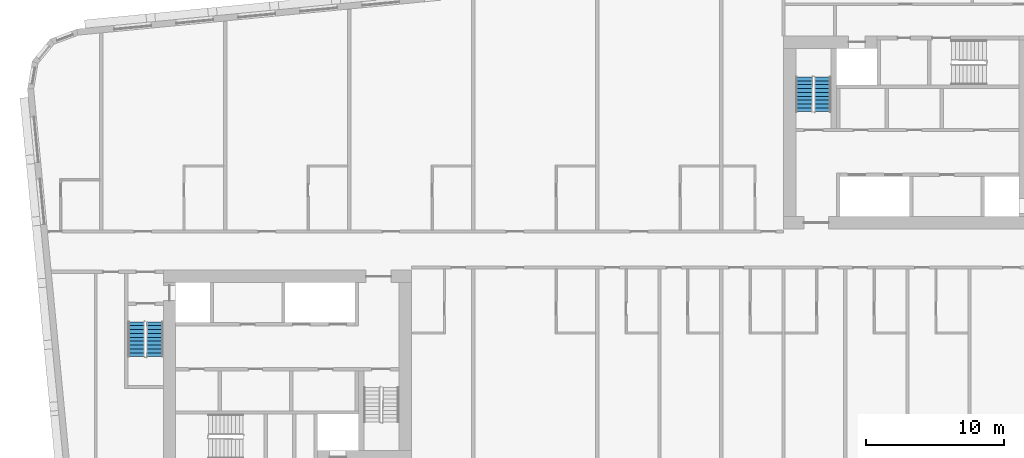
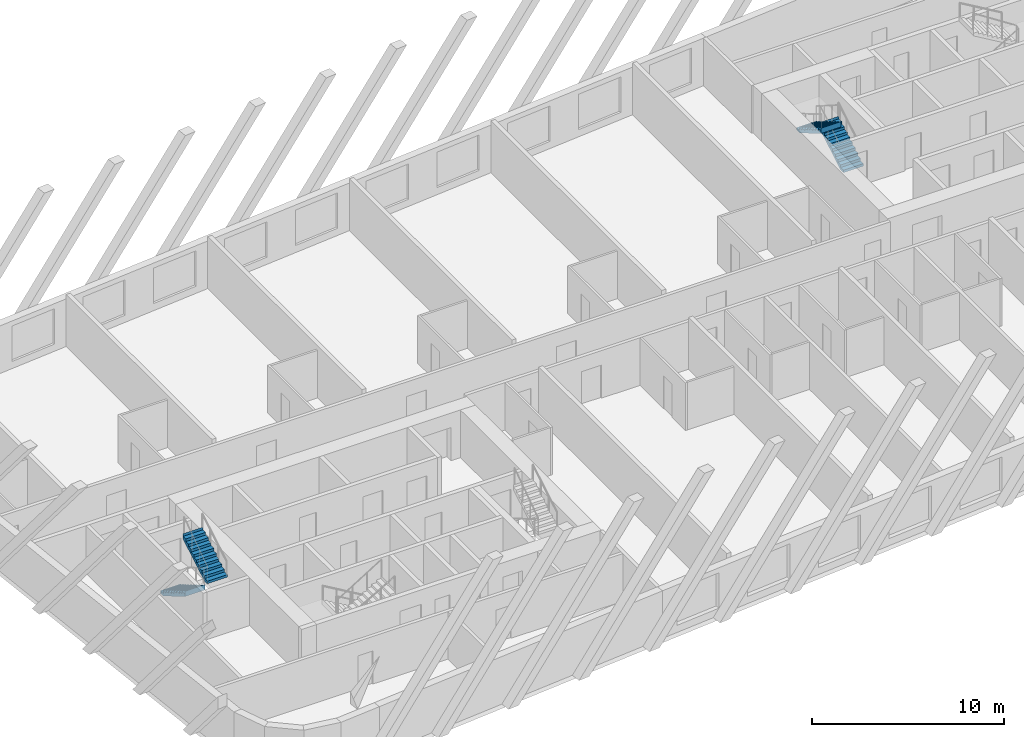
# One storey, part 9 of 12: 4 stair flights, 2 elements without a shape of their own.
"""IFC4 building model written with IfcOpenShell, lengths in metres."""

import ifcopenshell
import ifcopenshell.guid

model = None  # the IFC model being written
_history = None  # IfcOwnerHistory: only IFC2X3 demands one
_inside = {}  # id of a spatial element -> (the spatial element, [elements in it])
_under = {}  # id of a project, library or spatial element -> (it, [spatial elements below it])
_declared = {}  # id of a project -> (the project, [libraries it declares])
_typed = {}  # id of a type object -> (the type object, [elements of that type])
_made_of = {}  # id of a material, layer set ... -> (it, [elements and type objects made of it])


def new_model(schema):
    """Start an empty IFC model of exactly this schema.

    Asked for "IFC4X3", IfcOpenShell would pick the latest addendum, in which some entities
    have other attributes; the version numbers below select the first issue.
    IFC2X3 requires an IfcOwnerHistory on every rooted entity: one is made here for all.
    """
    global model, _history
    if schema == "IFC4X3":
        model = ifcopenshell.file(schema_version=(4, 3, 0, 0))
    else:
        model = ifcopenshell.file(schema=schema)
    _inside.clear()
    _under.clear()
    _declared.clear()
    _typed.clear()
    _made_of.clear()
    _history = None
    if model.schema == "IFC2X3":
        org = make("IfcOrganization", Name="unknown")
        user = make(
            "IfcPersonAndOrganization",
            ThePerson=make("IfcPerson", FamilyName="unknown"),
            TheOrganization=org,
        )
        app = make(
            "IfcApplication",
            ApplicationDeveloper=org,
            Version="unknown",
            ApplicationFullName="unknown",
            ApplicationIdentifier="unknown",
        )
        _history = make(
            "IfcOwnerHistory",
            OwningUser=user,
            OwningApplication=app,
            ChangeAction="ADDED",
            CreationDate=0,
        )
    return model


def make(cls, **values):
    """One entity of the class cls with the attributes given. An attribute that is None is left unset."""
    return model.create_entity(
        cls, **{name: value for name, value in values.items() if value is not None}
    )


def rooted(cls, **values):
    """An entity with a GlobalId (a new one), such as an element, a storey or a relation."""
    return make(cls, GlobalId=ifcopenshell.guid.new(), OwnerHistory=_history, **values)


def si_unit(unit_type, name, prefix=None):
    """IfcSIUnit, for example si_unit("LENGTHUNIT", "METRE", prefix="MILLI")."""
    return make("IfcSIUnit", UnitType=unit_type, Prefix=prefix, Name=name)


def assignment(units):
    """IfcUnitAssignment: the units of a project."""
    return None if units is None else make("IfcUnitAssignment", Units=units)


def point(xyz):
    """IfcCartesianPoint."""
    return None if xyz is None else make("IfcCartesianPoint", Coordinates=xyz)


def direction(xyz):
    """IfcDirection."""
    return None if xyz is None else make("IfcDirection", DirectionRatios=xyz)


def frame(location, z_axis=None, x_axis=None):
    """IfcAxis2Placement3D, a coordinate frame: its origin and axes. An axis left out is left unset."""
    return make(
        "IfcAxis2Placement3D",
        Location=point(location),
        Axis=direction(z_axis),
        RefDirection=direction(x_axis),
    )


def origin():
    """The frame at (0, 0, 0) with its axes left unset."""
    return frame((0.0, 0.0, 0.0))


def place(relative_to, where):
    """IfcLocalPlacement: puts the frame where relative to a parent placement (None: the world)."""
    return make(
        "IfcLocalPlacement", PlacementRelTo=relative_to, RelativePlacement=where
    )


def context(
    kind, dimensions, precision=None, world=None, true_north=None, identifier=None
):
    """IfcGeometricRepresentationContext, for example the 3D "Model" context."""
    return make(
        "IfcGeometricRepresentationContext",
        ContextIdentifier=identifier,
        ContextType=kind,
        CoordinateSpaceDimension=dimensions,
        Precision=precision,
        WorldCoordinateSystem=world,
        TrueNorth=true_north,
    )


def subcontext(parent, identifier, kind, view, scale=None):
    """IfcGeometricRepresentationSubContext, for example "Body" below "Model"."""
    return make(
        "IfcGeometricRepresentationSubContext",
        ContextIdentifier=identifier,
        ContextType=kind,
        ParentContext=parent,
        TargetScale=scale,
        TargetView=view,
    )


def project(units=None, contexts=None):
    """IfcProject with its units and contexts."""
    return rooted(
        "IfcProject",
        Name="project",
        RepresentationContexts=contexts,
        UnitsInContext=assignment(units),
    )


def spatial(cls, under=None, at=None, **own):
    """A site, building, storey or space (cls), placed at a placement, below another one or the project."""
    s = rooted(cls, ObjectPlacement=at, **own)
    if under is not None:
        _under.setdefault(under.id(), (under, []))[1].append(s)
    return s


def faces_of(points, faces, orient=None, outer=None):
    """IfcFace entities. A face is a list of loops; a loop is a list of indices into points, from 0.

    orient and outer hold one flag for each loop. By default every Orientation is true, the
    first loop of a face is its IfcFaceOuterBound and the others are IfcFaceBound.
    """
    made = []
    for i, loops in enumerate(faces):
        bounds = []
        for j, loop in enumerate(loops):
            is_outer = j == 0 if outer is None else outer[i][j]
            bounds.append(
                make(
                    "IfcFaceOuterBound" if is_outer else "IfcFaceBound",
                    Bound=make("IfcPolyLoop", Polygon=[points[k] for k in loop]),
                    Orientation=True if orient is None else orient[i][j],
                )
            )
        made.append(make("IfcFace", Bounds=bounds))
    return made


def faceted_brep(points, faces, orient=None, outer=None, voids=None):
    """IfcFacetedBrep: a solid bounded by flat faces; with voids (closed shells), ...WithVoids."""
    shared = [point(p) for p in points]
    hull = make("IfcClosedShell", CfsFaces=faces_of(shared, faces, orient, outer))
    if voids is None:
        return make("IfcFacetedBrep", Outer=hull)
    return make(
        "IfcFacetedBrepWithVoids",
        Outer=hull,
        Voids=[
            make(cls, CfsFaces=faces_of(shared, fs, o, b)) for cls, fs, o, b in voids
        ],
    )


def shape(context_of_items, identifier, shape_type, items):
    """IfcShapeRepresentation: the items that make up one representation, for example the "Body"."""
    return make(
        "IfcShapeRepresentation",
        ContextOfItems=context_of_items,
        RepresentationIdentifier=identifier,
        RepresentationType=shape_type,
        Items=items,
    )


def material(Name=None, Category=None):
    """IfcMaterial."""
    return make("IfcMaterial", Name=Name, Category=Category)


def made_of(thing, what):
    """Note that an element or type object is made of a material, layer set ...; save() writes the relation."""
    if what is not None:
        _made_of.setdefault(what.id(), (what, []))[1].append(thing)
    return thing


def type_object(cls, material=None, **own):
    """A type object (cls), such as IfcWallType, which elements share."""
    return made_of(rooted(cls, **own), material)


def element(
    cls,
    number,
    at=None,
    inside=None,
    cuts=None,
    type_object=None,
    material=None,
    context=None,
    identifier="Body",
    shape_type=None,
    held_by="IfcProductDefinitionShape",
    body=None,
    shapes=None,
    **own,
):
    """One element of the class cls, such as IfcWall. Its Tag is "e" and its number.

    at: its placement. inside: the storey or other place that contains it. cuts: it is an
    opening in that element (IfcRelVoidsElement). A single representation is given by context,
    identifier, shape_type and body (its items); several are given by shapes. held_by: the class
    of the entity that holds the representations. save() writes the other relations.
    """
    e = rooted(cls, Tag="e%d" % number, ObjectPlacement=at, **own)
    if body is not None:
        shapes = [shape(context, identifier, shape_type, body)]
    if shapes is not None:
        e.Representation = make(held_by, Representations=shapes)
    if inside is not None:
        _inside.setdefault(inside.id(), (inside, []))[1].append(e)
    if cuts is not None:
        rooted(
            "IfcRelVoidsElement", RelatingBuildingElement=cuts, RelatedOpeningElement=e
        )
    if type_object is not None:
        _typed.setdefault(type_object.id(), (type_object, []))[1].append(e)
    return made_of(e, material)


def aggregate(whole, parts):
    """IfcRelAggregates: a whole, such as a stair, and the parts it consists of."""
    return rooted("IfcRelAggregates", RelatingObject=whole, RelatedObjects=parts)


def save(model, path):
    """Write the relations noted so far, then the file.

    IfcRelAggregates (storeys below a building ...), IfcRelContainedInSpatialStructure (elements
    in a storey), IfcRelDefinesByType, IfcRelAssociatesMaterial and IfcRelDeclares: one each for
    every whole, place, type object, material and project.
    """
    for whole, parts in _under.values():
        aggregate(whole, parts)
    for where, things in _inside.values():
        rooted(
            "IfcRelContainedInSpatialStructure",
            RelatedElements=things,
            RelatingStructure=where,
        )
    for kind, things in _typed.values():
        rooted("IfcRelDefinesByType", RelatedObjects=things, RelatingType=kind)
    for what, things in _made_of.values():
        rooted("IfcRelAssociatesMaterial", RelatedObjects=things, RelatingMaterial=what)
    for by, libraries in _declared.values():
        rooted("IfcRelDeclares", RelatingContext=by, RelatedDefinitions=libraries)
    model.write(path)


model = new_model("IFC4")

# Units and contexts
model_context = context("Model", 3, precision=1e-05, world=origin(), true_north=direction((0.0, 1.0)))
body_context = subcontext(model_context, "Body", "Model", "MODEL_VIEW")
ifc_project = project(units=[si_unit("LENGTHUNIT", "METRE"), si_unit("AREAUNIT", "SQUARE_METRE"), si_unit("VOLUMEUNIT", "CUBIC_METRE"), si_unit("PLANEANGLEUNIT", "RADIAN"), si_unit("MASSUNIT", "GRAM", prefix="KILO")], contexts=[model_context])

# Site, building, storey
site_placement = place(None, origin())
site = spatial("IfcSite", under=ifc_project, at=site_placement, CompositionType="ELEMENT")
building_placement = place(site_placement, origin())
building = spatial("IfcBuilding", under=site, at=building_placement, Name="Kajstack Hotel Tower", CompositionType="ELEMENT")
storey_placement = place(building_placement, frame((0.0, 0.0, 278.39990234375)))
storey = spatial("IfcBuildingStorey", under=building, at=storey_placement, Name="L69", CompositionType="ELEMENT", Elevation=278.39990234375)

# Stair, stair flights
ifc_material = material(Name="Concrete C40/50", Category="concrete")
stair_type = type_object("IfcStairType", Name="Exit stair 1200", PredefinedType="HALF_TURN_STAIR", material=ifc_material)
stair_1_placement = place(storey_placement, origin())
stair_1 = element("IfcStair", 1, at=stair_1_placement, inside=storey, type_object=stair_type, Name="L69 stair W1", PredefinedType="HALF_TURN_STAIR")
stair_flight_type = type_object("IfcStairFlightType", Name="Exit stair flight 1200", PredefinedType="STRAIGHT", material=ifc_material)
stair_flight_1_placement = place(storey_placement, frame((-33.449951171875, -5.25, 0.0), z_axis=(0.0, 0.0, 1.0), x_axis=(0.0, -1.0, 0.0)))
stair_flight_1 = element("IfcStairFlight", 2, at=stair_flight_1_placement, type_object=stair_flight_type, Name="W1 flight 1", NumberOfRisers=10, NumberOfTreads=9, PredefinedType="STRAIGHT", RiserHeight=0.165, TreadLength=0.28, context=body_context, shape_type="Brep", body=[
    faceted_brep([(0.295654296875, -0.60009765625, 0.0), (2.5205078125, -0.60009765625, 1.31103515625), (2.5205078125, -0.60009765625, 1.64990234375), (2.52001953125, -0.60009765625, 1.64990234375), (2.52001953125, -0.60009765625, 1.485107421875), (2.239990234375, -0.60009765625, 1.485107421875), (2.239990234375, -0.60009765625, 1.320068359375), (1.9599609375, -0.60009765625, 1.320068359375), (1.9599609375, -0.60009765625, 1.155029296875), (1.679931640625, -0.60009765625, 1.155029296875), (1.679931640625, -0.60009765625, 0.989990234375), (1.39990234375, -0.60009765625, 0.989990234375), (1.39990234375, -0.60009765625, 0.824951171875), (1.1201171875, -0.60009765625, 0.824951171875), (1.1201171875, -0.60009765625, 0.659912109375), (0.840087890625, -0.60009765625, 0.659912109375), (0.840087890625, -0.60009765625, 0.4951171875), (0.56005859375, -0.60009765625, 0.4951171875), (0.56005859375, -0.60009765625, 0.330078125), (0.280029296875, -0.60009765625, 0.330078125), (0.280029296875, -0.60009765625, 0.1650390625), (-0.00048828125, -0.60009765625, 0.1650390625), (-0.00048828125, -0.60009765625, 0.0), (-0.00048828125, 0.60009765625, 0.0), (-0.00048828125, 0.60009765625, 0.1650390625), (0.280029296875, 0.60009765625, 0.1650390625), (0.280029296875, 0.60009765625, 0.330078125), (0.56005859375, 0.60009765625, 0.330078125), (0.56005859375, 0.60009765625, 0.4951171875), (0.840087890625, 0.60009765625, 0.4951171875), (0.840087890625, 0.60009765625, 0.659912109375), (1.1201171875, 0.60009765625, 0.659912109375), (1.1201171875, 0.60009765625, 0.824951171875), (1.39990234375, 0.60009765625, 0.824951171875), (1.39990234375, 0.60009765625, 0.989990234375), (1.679931640625, 0.60009765625, 0.989990234375), (1.679931640625, 0.60009765625, 1.155029296875), (1.9599609375, 0.60009765625, 1.155029296875), (1.9599609375, 0.60009765625, 1.320068359375), (2.239990234375, 0.60009765625, 1.320068359375), (2.239990234375, 0.60009765625, 1.485107421875), (2.52001953125, 0.60009765625, 1.485107421875), (2.52001953125, 0.60009765625, 1.64990234375), (2.5205078125, 0.60009765625, 1.64990234375), (2.5205078125, 0.60009765625, 1.31103515625), (0.295654296875, 0.60009765625, 0.0), (-0.00048828125, -0.300048828125, 0.1650390625), (-0.00048828125, 0.0, 0.1650390625), (-0.00048828125, 0.300048828125, 0.1650390625), (-0.00048828125, 0.300048828125, 0.0), (-0.00048828125, 0.0, 0.0), (-0.00048828125, -0.300048828125, 0.0), (0.280029296875, -0.300048828125, 0.1650390625), (0.280029296875, 0.0, 0.1650390625), (0.280029296875, 0.300048828125, 0.1650390625), (0.280029296875, -0.300048828125, 0.330078125), (0.280029296875, 0.0, 0.330078125), (0.280029296875, 0.300048828125, 0.330078125), (0.56005859375, -0.300048828125, 0.330078125), (0.56005859375, 0.0, 0.330078125), (0.56005859375, 0.300048828125, 0.330078125), (0.56005859375, -0.300048828125, 0.4951171875), (0.56005859375, 0.0, 0.4951171875), (0.56005859375, 0.300048828125, 0.4951171875), (0.840087890625, -0.300048828125, 0.4951171875), (0.840087890625, 0.0, 0.4951171875), (0.840087890625, 0.300048828125, 0.4951171875), (0.840087890625, -0.300048828125, 0.659912109375), (0.840087890625, 0.0, 0.659912109375), (0.840087890625, 0.300048828125, 0.659912109375), (1.1201171875, -0.300048828125, 0.659912109375), (1.1201171875, 0.0, 0.659912109375), (1.1201171875, 0.300048828125, 0.659912109375), (1.1201171875, -0.300048828125, 0.824951171875), (1.1201171875, 0.0, 0.824951171875), (1.1201171875, 0.300048828125, 0.824951171875), (1.39990234375, -0.300048828125, 0.824951171875), (1.39990234375, 0.0, 0.824951171875), (1.39990234375, 0.300048828125, 0.824951171875), (1.39990234375, -0.300048828125, 0.989990234375), (1.39990234375, 0.0, 0.989990234375), (1.39990234375, 0.300048828125, 0.989990234375), (1.679931640625, -0.300048828125, 0.989990234375), (1.679931640625, 0.0, 0.989990234375), (1.679931640625, 0.300048828125, 0.989990234375), (1.679931640625, -0.300048828125, 1.155029296875), (1.679931640625, 0.0, 1.155029296875), (1.679931640625, 0.300048828125, 1.155029296875), (1.9599609375, -0.300048828125, 1.155029296875), (1.9599609375, 0.0, 1.155029296875), (1.9599609375, 0.300048828125, 1.155029296875), (1.9599609375, -0.300048828125, 1.320068359375), (1.9599609375, 0.0, 1.320068359375), (1.9599609375, 0.300048828125, 1.320068359375), (2.239990234375, -0.300048828125, 1.320068359375), (2.239990234375, 0.0, 1.320068359375), (2.239990234375, 0.300048828125, 1.320068359375), (2.239990234375, -0.300048828125, 1.485107421875), (2.239990234375, 0.0, 1.485107421875), (2.239990234375, 0.300048828125, 1.485107421875), (2.52001953125, -0.300048828125, 1.485107421875), (2.52001953125, 0.0, 1.485107421875), (2.52001953125, 0.300048828125, 1.485107421875), (2.52001953125, -0.300048828125, 1.64990234375), (2.52001953125, 0.0, 1.64990234375), (2.52001953125, 0.300048828125, 1.64990234375), (2.5205078125, -0.300048828125, 1.64990234375), (2.5205078125, 0.0, 1.64990234375), (2.5205078125, 0.300048828125, 1.64990234375), (2.5205078125, -0.300048828125, 1.31103515625), (2.5205078125, 0.0, 1.31103515625), (2.5205078125, 0.300048828125, 1.31103515625), (0.295654296875, -0.300048828125, 0.0), (0.295654296875, 0.0, 0.0), (0.295654296875, 0.300048828125, 0.0)], [[[0, 1, 2, 3, 4, 5, 6, 7, 8, 9, 10, 11, 12, 13, 14, 15, 16, 17, 18, 19, 20, 21, 22]], [[23, 24, 25, 26, 27, 28, 29, 30, 31, 32, 33, 34, 35, 36, 37, 38, 39, 40, 41, 42, 43, 44, 45]], [[21, 46, 47, 48, 24, 23, 49, 50, 51, 22]], [[20, 52, 53, 54, 25, 24, 48, 47, 46, 21]], [[19, 55, 56, 57, 26, 25, 54, 53, 52, 20]], [[18, 58, 59, 60, 27, 26, 57, 56, 55, 19]], [[17, 61, 62, 63, 28, 27, 60, 59, 58, 18]], [[16, 64, 65, 66, 29, 28, 63, 62, 61, 17]], [[15, 67, 68, 69, 30, 29, 66, 65, 64, 16]], [[14, 70, 71, 72, 31, 30, 69, 68, 67, 15]], [[13, 73, 74, 75, 32, 31, 72, 71, 70, 14]], [[12, 76, 77, 78, 33, 32, 75, 74, 73, 13]], [[11, 79, 80, 81, 34, 33, 78, 77, 76, 12]], [[10, 82, 83, 84, 35, 34, 81, 80, 79, 11]], [[9, 85, 86, 87, 36, 35, 84, 83, 82, 10]], [[8, 88, 89, 90, 37, 36, 87, 86, 85, 9]], [[7, 91, 92, 93, 38, 37, 90, 89, 88, 8]], [[6, 94, 95, 96, 39, 38, 93, 92, 91, 7]], [[5, 97, 98, 99, 40, 39, 96, 95, 94, 6]], [[4, 100, 101, 102, 41, 40, 99, 98, 97, 5]], [[3, 103, 104, 105, 42, 41, 102, 101, 100, 4]], [[2, 106, 107, 108, 43, 42, 105, 104, 103, 3]], [[1, 109, 110, 111, 44, 43, 108, 107, 106, 2]], [[0, 112, 113, 114, 45, 44, 111, 110, 109, 1]], [[22, 51, 50, 49, 23, 45, 114, 113, 112, 0]]]),
])
stair_flight_2_placement = place(storey_placement, frame((-32.10009765625, -7.77001953125, 1.650146484375), z_axis=(0.0, 0.0, 1.0), x_axis=(0.0, 1.0, 0.0)))
stair_flight_2 = element("IfcStairFlight", 3, at=stair_flight_2_placement, type_object=stair_flight_type, Name="W1 flight 2", NumberOfRisers=10, NumberOfTreads=9, PredefinedType="STRAIGHT", RiserHeight=0.165, TreadLength=0.28, context=body_context, shape_type="Brep", body=[
    faceted_brep([(0.295654296875, -0.60009765625, 0.0), (2.5205078125, -0.60009765625, 1.31103515625), (2.5205078125, -0.60009765625, 1.64990234375), (2.52001953125, -0.60009765625, 1.64990234375), (2.52001953125, -0.60009765625, 1.485107421875), (2.239990234375, -0.60009765625, 1.485107421875), (2.239990234375, -0.60009765625, 1.320068359375), (1.9599609375, -0.60009765625, 1.320068359375), (1.9599609375, -0.60009765625, 1.155029296875), (1.679931640625, -0.60009765625, 1.155029296875), (1.679931640625, -0.60009765625, 0.989990234375), (1.39990234375, -0.60009765625, 0.989990234375), (1.39990234375, -0.60009765625, 0.824951171875), (1.1201171875, -0.60009765625, 0.824951171875), (1.1201171875, -0.60009765625, 0.659912109375), (0.840087890625, -0.60009765625, 0.659912109375), (0.840087890625, -0.60009765625, 0.4951171875), (0.56005859375, -0.60009765625, 0.4951171875), (0.56005859375, -0.60009765625, 0.330078125), (0.280029296875, -0.60009765625, 0.330078125), (0.280029296875, -0.60009765625, 0.1650390625), (-0.00048828125, -0.60009765625, 0.1650390625), (-0.00048828125, -0.60009765625, 0.0), (-0.00048828125, 0.60009765625, 0.0), (-0.00048828125, 0.60009765625, 0.1650390625), (0.280029296875, 0.60009765625, 0.1650390625), (0.280029296875, 0.60009765625, 0.330078125), (0.56005859375, 0.60009765625, 0.330078125), (0.56005859375, 0.60009765625, 0.4951171875), (0.840087890625, 0.60009765625, 0.4951171875), (0.840087890625, 0.60009765625, 0.659912109375), (1.1201171875, 0.60009765625, 0.659912109375), (1.1201171875, 0.60009765625, 0.824951171875), (1.39990234375, 0.60009765625, 0.824951171875), (1.39990234375, 0.60009765625, 0.989990234375), (1.679931640625, 0.60009765625, 0.989990234375), (1.679931640625, 0.60009765625, 1.155029296875), (1.9599609375, 0.60009765625, 1.155029296875), (1.9599609375, 0.60009765625, 1.320068359375), (2.239990234375, 0.60009765625, 1.320068359375), (2.239990234375, 0.60009765625, 1.485107421875), (2.52001953125, 0.60009765625, 1.485107421875), (2.52001953125, 0.60009765625, 1.64990234375), (2.5205078125, 0.60009765625, 1.64990234375), (2.5205078125, 0.60009765625, 1.31103515625), (0.295654296875, 0.60009765625, 0.0), (-0.00048828125, -0.300048828125, 0.1650390625), (-0.00048828125, 0.0, 0.1650390625), (-0.00048828125, 0.300048828125, 0.1650390625), (-0.00048828125, 0.300048828125, 0.0), (-0.00048828125, 0.0, 0.0), (-0.00048828125, -0.300048828125, 0.0), (0.280029296875, -0.300048828125, 0.1650390625), (0.280029296875, 0.0, 0.1650390625), (0.280029296875, 0.300048828125, 0.1650390625), (0.280029296875, -0.300048828125, 0.330078125), (0.280029296875, 0.0, 0.330078125), (0.280029296875, 0.300048828125, 0.330078125), (0.56005859375, -0.300048828125, 0.330078125), (0.56005859375, 0.0, 0.330078125), (0.56005859375, 0.300048828125, 0.330078125), (0.56005859375, -0.300048828125, 0.4951171875), (0.56005859375, 0.0, 0.4951171875), (0.56005859375, 0.300048828125, 0.4951171875), (0.840087890625, -0.300048828125, 0.4951171875), (0.840087890625, 0.0, 0.4951171875), (0.840087890625, 0.300048828125, 0.4951171875), (0.840087890625, -0.300048828125, 0.659912109375), (0.840087890625, 0.0, 0.659912109375), (0.840087890625, 0.300048828125, 0.659912109375), (1.1201171875, -0.300048828125, 0.659912109375), (1.1201171875, 0.0, 0.659912109375), (1.1201171875, 0.300048828125, 0.659912109375), (1.1201171875, -0.300048828125, 0.824951171875), (1.1201171875, 0.0, 0.824951171875), (1.1201171875, 0.300048828125, 0.824951171875), (1.39990234375, -0.300048828125, 0.824951171875), (1.39990234375, 0.0, 0.824951171875), (1.39990234375, 0.300048828125, 0.824951171875), (1.39990234375, -0.300048828125, 0.989990234375), (1.39990234375, 0.0, 0.989990234375), (1.39990234375, 0.300048828125, 0.989990234375), (1.679931640625, -0.300048828125, 0.989990234375), (1.679931640625, 0.0, 0.989990234375), (1.679931640625, 0.300048828125, 0.989990234375), (1.679931640625, -0.300048828125, 1.155029296875), (1.679931640625, 0.0, 1.155029296875), (1.679931640625, 0.300048828125, 1.155029296875), (1.9599609375, -0.300048828125, 1.155029296875), (1.9599609375, 0.0, 1.155029296875), (1.9599609375, 0.300048828125, 1.155029296875), (1.9599609375, -0.300048828125, 1.320068359375), (1.9599609375, 0.0, 1.320068359375), (1.9599609375, 0.300048828125, 1.320068359375), (2.239990234375, -0.300048828125, 1.320068359375), (2.239990234375, 0.0, 1.320068359375), (2.239990234375, 0.300048828125, 1.320068359375), (2.239990234375, -0.300048828125, 1.485107421875), (2.239990234375, 0.0, 1.485107421875), (2.239990234375, 0.300048828125, 1.485107421875), (2.52001953125, -0.300048828125, 1.485107421875), (2.52001953125, 0.0, 1.485107421875), (2.52001953125, 0.300048828125, 1.485107421875), (2.52001953125, -0.300048828125, 1.64990234375), (2.52001953125, 0.0, 1.64990234375), (2.52001953125, 0.300048828125, 1.64990234375), (2.5205078125, -0.300048828125, 1.64990234375), (2.5205078125, 0.0, 1.64990234375), (2.5205078125, 0.300048828125, 1.64990234375), (2.5205078125, -0.300048828125, 1.31103515625), (2.5205078125, 0.0, 1.31103515625), (2.5205078125, 0.300048828125, 1.31103515625), (0.295654296875, -0.300048828125, 0.0), (0.295654296875, 0.0, 0.0), (0.295654296875, 0.300048828125, 0.0)], [[[0, 1, 2, 3, 4, 5, 6, 7, 8, 9, 10, 11, 12, 13, 14, 15, 16, 17, 18, 19, 20, 21, 22]], [[23, 24, 25, 26, 27, 28, 29, 30, 31, 32, 33, 34, 35, 36, 37, 38, 39, 40, 41, 42, 43, 44, 45]], [[21, 46, 47, 48, 24, 23, 49, 50, 51, 22]], [[20, 52, 53, 54, 25, 24, 48, 47, 46, 21]], [[19, 55, 56, 57, 26, 25, 54, 53, 52, 20]], [[18, 58, 59, 60, 27, 26, 57, 56, 55, 19]], [[17, 61, 62, 63, 28, 27, 60, 59, 58, 18]], [[16, 64, 65, 66, 29, 28, 63, 62, 61, 17]], [[15, 67, 68, 69, 30, 29, 66, 65, 64, 16]], [[14, 70, 71, 72, 31, 30, 69, 68, 67, 15]], [[13, 73, 74, 75, 32, 31, 72, 71, 70, 14]], [[12, 76, 77, 78, 33, 32, 75, 74, 73, 13]], [[11, 79, 80, 81, 34, 33, 78, 77, 76, 12]], [[10, 82, 83, 84, 35, 34, 81, 80, 79, 11]], [[9, 85, 86, 87, 36, 35, 84, 83, 82, 10]], [[8, 88, 89, 90, 37, 36, 87, 86, 85, 9]], [[7, 91, 92, 93, 38, 37, 90, 89, 88, 8]], [[6, 94, 95, 96, 39, 38, 93, 92, 91, 7]], [[5, 97, 98, 99, 40, 39, 96, 95, 94, 6]], [[4, 100, 101, 102, 41, 40, 99, 98, 97, 5]], [[3, 103, 104, 105, 42, 41, 102, 101, 100, 4]], [[2, 106, 107, 108, 43, 42, 105, 104, 103, 3]], [[1, 109, 110, 111, 44, 43, 108, 107, 106, 2]], [[0, 112, 113, 114, 45, 44, 111, 110, 109, 1]], [[22, 51, 50, 49, 23, 45, 114, 113, 112, 0]]]),
])
aggregate(stair_1, [stair_flight_1, stair_flight_2])

stair_2_placement = place(storey_placement, origin())
stair_2 = element("IfcStair", 4, at=stair_2_placement, inside=storey, type_object=stair_type, Name="L69 stair E2", PredefinedType="HALF_TURN_STAIR")
stair_flight_3_placement = place(storey_placement, frame((16.35009765625, 10.0, 0.0), z_axis=(0.0, 0.0, 1.0), x_axis=(0.0, 1.0, 0.0)))
stair_flight_3 = element("IfcStairFlight", 5, at=stair_flight_3_placement, type_object=stair_flight_type, Name="E2 flight 1", NumberOfRisers=10, NumberOfTreads=9, PredefinedType="STRAIGHT", RiserHeight=0.165, TreadLength=0.28, context=body_context, shape_type="Brep", body=[
    faceted_brep([(0.295654296875, -0.60009765625, 0.0), (2.5205078125, -0.60009765625, 1.31103515625), (2.5205078125, -0.60009765625, 1.64990234375), (2.52001953125, -0.60009765625, 1.64990234375), (2.52001953125, -0.60009765625, 1.485107421875), (2.239990234375, -0.60009765625, 1.485107421875), (2.239990234375, -0.60009765625, 1.320068359375), (1.9599609375, -0.60009765625, 1.320068359375), (1.9599609375, -0.60009765625, 1.155029296875), (1.679931640625, -0.60009765625, 1.155029296875), (1.679931640625, -0.60009765625, 0.989990234375), (1.39990234375, -0.60009765625, 0.989990234375), (1.39990234375, -0.60009765625, 0.824951171875), (1.1201171875, -0.60009765625, 0.824951171875), (1.1201171875, -0.60009765625, 0.659912109375), (0.840087890625, -0.60009765625, 0.659912109375), (0.840087890625, -0.60009765625, 0.4951171875), (0.56005859375, -0.60009765625, 0.4951171875), (0.56005859375, -0.60009765625, 0.330078125), (0.280029296875, -0.60009765625, 0.330078125), (0.280029296875, -0.60009765625, 0.1650390625), (-0.00048828125, -0.60009765625, 0.1650390625), (-0.00048828125, -0.60009765625, 0.0), (-0.00048828125, 0.60009765625, 0.0), (-0.00048828125, 0.60009765625, 0.1650390625), (0.280029296875, 0.60009765625, 0.1650390625), (0.280029296875, 0.60009765625, 0.330078125), (0.56005859375, 0.60009765625, 0.330078125), (0.56005859375, 0.60009765625, 0.4951171875), (0.840087890625, 0.60009765625, 0.4951171875), (0.840087890625, 0.60009765625, 0.659912109375), (1.1201171875, 0.60009765625, 0.659912109375), (1.1201171875, 0.60009765625, 0.824951171875), (1.39990234375, 0.60009765625, 0.824951171875), (1.39990234375, 0.60009765625, 0.989990234375), (1.679931640625, 0.60009765625, 0.989990234375), (1.679931640625, 0.60009765625, 1.155029296875), (1.9599609375, 0.60009765625, 1.155029296875), (1.9599609375, 0.60009765625, 1.320068359375), (2.239990234375, 0.60009765625, 1.320068359375), (2.239990234375, 0.60009765625, 1.485107421875), (2.52001953125, 0.60009765625, 1.485107421875), (2.52001953125, 0.60009765625, 1.64990234375), (2.5205078125, 0.60009765625, 1.64990234375), (2.5205078125, 0.60009765625, 1.31103515625), (0.295654296875, 0.60009765625, 0.0), (-0.00048828125, -0.300048828125, 0.1650390625), (-0.00048828125, 0.0, 0.1650390625), (-0.00048828125, 0.300048828125, 0.1650390625), (-0.00048828125, 0.300048828125, 0.0), (-0.00048828125, 0.0, 0.0), (-0.00048828125, -0.300048828125, 0.0), (0.280029296875, -0.300048828125, 0.1650390625), (0.280029296875, 0.0, 0.1650390625), (0.280029296875, 0.300048828125, 0.1650390625), (0.280029296875, -0.300048828125, 0.330078125), (0.280029296875, 0.0, 0.330078125), (0.280029296875, 0.300048828125, 0.330078125), (0.56005859375, -0.300048828125, 0.330078125), (0.56005859375, 0.0, 0.330078125), (0.56005859375, 0.300048828125, 0.330078125), (0.56005859375, -0.300048828125, 0.4951171875), (0.56005859375, 0.0, 0.4951171875), (0.56005859375, 0.300048828125, 0.4951171875), (0.840087890625, -0.300048828125, 0.4951171875), (0.840087890625, 0.0, 0.4951171875), (0.840087890625, 0.300048828125, 0.4951171875), (0.840087890625, -0.300048828125, 0.659912109375), (0.840087890625, 0.0, 0.659912109375), (0.840087890625, 0.300048828125, 0.659912109375), (1.1201171875, -0.300048828125, 0.659912109375), (1.1201171875, 0.0, 0.659912109375), (1.1201171875, 0.300048828125, 0.659912109375), (1.1201171875, -0.300048828125, 0.824951171875), (1.1201171875, 0.0, 0.824951171875), (1.1201171875, 0.300048828125, 0.824951171875), (1.39990234375, -0.300048828125, 0.824951171875), (1.39990234375, 0.0, 0.824951171875), (1.39990234375, 0.300048828125, 0.824951171875), (1.39990234375, -0.300048828125, 0.989990234375), (1.39990234375, 0.0, 0.989990234375), (1.39990234375, 0.300048828125, 0.989990234375), (1.679931640625, -0.300048828125, 0.989990234375), (1.679931640625, 0.0, 0.989990234375), (1.679931640625, 0.300048828125, 0.989990234375), (1.679931640625, -0.300048828125, 1.155029296875), (1.679931640625, 0.0, 1.155029296875), (1.679931640625, 0.300048828125, 1.155029296875), (1.9599609375, -0.300048828125, 1.155029296875), (1.9599609375, 0.0, 1.155029296875), (1.9599609375, 0.300048828125, 1.155029296875), (1.9599609375, -0.300048828125, 1.320068359375), (1.9599609375, 0.0, 1.320068359375), (1.9599609375, 0.300048828125, 1.320068359375), (2.239990234375, -0.300048828125, 1.320068359375), (2.239990234375, 0.0, 1.320068359375), (2.239990234375, 0.300048828125, 1.320068359375), (2.239990234375, -0.300048828125, 1.485107421875), (2.239990234375, 0.0, 1.485107421875), (2.239990234375, 0.300048828125, 1.485107421875), (2.52001953125, -0.300048828125, 1.485107421875), (2.52001953125, 0.0, 1.485107421875), (2.52001953125, 0.300048828125, 1.485107421875), (2.52001953125, -0.300048828125, 1.64990234375), (2.52001953125, 0.0, 1.64990234375), (2.52001953125, 0.300048828125, 1.64990234375), (2.5205078125, -0.300048828125, 1.64990234375), (2.5205078125, 0.0, 1.64990234375), (2.5205078125, 0.300048828125, 1.64990234375), (2.5205078125, -0.300048828125, 1.31103515625), (2.5205078125, 0.0, 1.31103515625), (2.5205078125, 0.300048828125, 1.31103515625), (0.295654296875, -0.300048828125, 0.0), (0.295654296875, 0.0, 0.0), (0.295654296875, 0.300048828125, 0.0)], [[[0, 1, 2, 3, 4, 5, 6, 7, 8, 9, 10, 11, 12, 13, 14, 15, 16, 17, 18, 19, 20, 21, 22]], [[23, 24, 25, 26, 27, 28, 29, 30, 31, 32, 33, 34, 35, 36, 37, 38, 39, 40, 41, 42, 43, 44, 45]], [[21, 46, 47, 48, 24, 23, 49, 50, 51, 22]], [[20, 52, 53, 54, 25, 24, 48, 47, 46, 21]], [[19, 55, 56, 57, 26, 25, 54, 53, 52, 20]], [[18, 58, 59, 60, 27, 26, 57, 56, 55, 19]], [[17, 61, 62, 63, 28, 27, 60, 59, 58, 18]], [[16, 64, 65, 66, 29, 28, 63, 62, 61, 17]], [[15, 67, 68, 69, 30, 29, 66, 65, 64, 16]], [[14, 70, 71, 72, 31, 30, 69, 68, 67, 15]], [[13, 73, 74, 75, 32, 31, 72, 71, 70, 14]], [[12, 76, 77, 78, 33, 32, 75, 74, 73, 13]], [[11, 79, 80, 81, 34, 33, 78, 77, 76, 12]], [[10, 82, 83, 84, 35, 34, 81, 80, 79, 11]], [[9, 85, 86, 87, 36, 35, 84, 83, 82, 10]], [[8, 88, 89, 90, 37, 36, 87, 86, 85, 9]], [[7, 91, 92, 93, 38, 37, 90, 89, 88, 8]], [[6, 94, 95, 96, 39, 38, 93, 92, 91, 7]], [[5, 97, 98, 99, 40, 39, 96, 95, 94, 6]], [[4, 100, 101, 102, 41, 40, 99, 98, 97, 5]], [[3, 103, 104, 105, 42, 41, 102, 101, 100, 4]], [[2, 106, 107, 108, 43, 42, 105, 104, 103, 3]], [[1, 109, 110, 111, 44, 43, 108, 107, 106, 2]], [[0, 112, 113, 114, 45, 44, 111, 110, 109, 1]], [[22, 51, 50, 49, 23, 45, 114, 113, 112, 0]]]),
])
stair_flight_4_placement = place(storey_placement, frame((15.0, 12.52001953125, 1.650146484375), z_axis=(0.0, 0.0, 1.0), x_axis=(0.0, -1.0, 0.0)))
stair_flight_4 = element("IfcStairFlight", 6, at=stair_flight_4_placement, type_object=stair_flight_type, Name="E2 flight 2", NumberOfRisers=10, NumberOfTreads=9, PredefinedType="STRAIGHT", RiserHeight=0.165, TreadLength=0.28, context=body_context, shape_type="Brep", body=[
    faceted_brep([(0.295654296875, -0.60009765625, 0.0), (2.5205078125, -0.60009765625, 1.31103515625), (2.5205078125, -0.60009765625, 1.64990234375), (2.52001953125, -0.60009765625, 1.64990234375), (2.52001953125, -0.60009765625, 1.485107421875), (2.239990234375, -0.60009765625, 1.485107421875), (2.239990234375, -0.60009765625, 1.320068359375), (1.9599609375, -0.60009765625, 1.320068359375), (1.9599609375, -0.60009765625, 1.155029296875), (1.679931640625, -0.60009765625, 1.155029296875), (1.679931640625, -0.60009765625, 0.989990234375), (1.39990234375, -0.60009765625, 0.989990234375), (1.39990234375, -0.60009765625, 0.824951171875), (1.1201171875, -0.60009765625, 0.824951171875), (1.1201171875, -0.60009765625, 0.659912109375), (0.840087890625, -0.60009765625, 0.659912109375), (0.840087890625, -0.60009765625, 0.4951171875), (0.56005859375, -0.60009765625, 0.4951171875), (0.56005859375, -0.60009765625, 0.330078125), (0.280029296875, -0.60009765625, 0.330078125), (0.280029296875, -0.60009765625, 0.1650390625), (-0.00048828125, -0.60009765625, 0.1650390625), (-0.00048828125, -0.60009765625, 0.0), (-0.00048828125, 0.60009765625, 0.0), (-0.00048828125, 0.60009765625, 0.1650390625), (0.280029296875, 0.60009765625, 0.1650390625), (0.280029296875, 0.60009765625, 0.330078125), (0.56005859375, 0.60009765625, 0.330078125), (0.56005859375, 0.60009765625, 0.4951171875), (0.840087890625, 0.60009765625, 0.4951171875), (0.840087890625, 0.60009765625, 0.659912109375), (1.1201171875, 0.60009765625, 0.659912109375), (1.1201171875, 0.60009765625, 0.824951171875), (1.39990234375, 0.60009765625, 0.824951171875), (1.39990234375, 0.60009765625, 0.989990234375), (1.679931640625, 0.60009765625, 0.989990234375), (1.679931640625, 0.60009765625, 1.155029296875), (1.9599609375, 0.60009765625, 1.155029296875), (1.9599609375, 0.60009765625, 1.320068359375), (2.239990234375, 0.60009765625, 1.320068359375), (2.239990234375, 0.60009765625, 1.485107421875), (2.52001953125, 0.60009765625, 1.485107421875), (2.52001953125, 0.60009765625, 1.64990234375), (2.5205078125, 0.60009765625, 1.64990234375), (2.5205078125, 0.60009765625, 1.31103515625), (0.295654296875, 0.60009765625, 0.0), (-0.00048828125, -0.300048828125, 0.1650390625), (-0.00048828125, 0.0, 0.1650390625), (-0.00048828125, 0.300048828125, 0.1650390625), (-0.00048828125, 0.300048828125, 0.0), (-0.00048828125, 0.0, 0.0), (-0.00048828125, -0.300048828125, 0.0), (0.280029296875, -0.300048828125, 0.1650390625), (0.280029296875, 0.0, 0.1650390625), (0.280029296875, 0.300048828125, 0.1650390625), (0.280029296875, -0.300048828125, 0.330078125), (0.280029296875, 0.0, 0.330078125), (0.280029296875, 0.300048828125, 0.330078125), (0.56005859375, -0.300048828125, 0.330078125), (0.56005859375, 0.0, 0.330078125), (0.56005859375, 0.300048828125, 0.330078125), (0.56005859375, -0.300048828125, 0.4951171875), (0.56005859375, 0.0, 0.4951171875), (0.56005859375, 0.300048828125, 0.4951171875), (0.840087890625, -0.300048828125, 0.4951171875), (0.840087890625, 0.0, 0.4951171875), (0.840087890625, 0.300048828125, 0.4951171875), (0.840087890625, -0.300048828125, 0.659912109375), (0.840087890625, 0.0, 0.659912109375), (0.840087890625, 0.300048828125, 0.659912109375), (1.1201171875, -0.300048828125, 0.659912109375), (1.1201171875, 0.0, 0.659912109375), (1.1201171875, 0.300048828125, 0.659912109375), (1.1201171875, -0.300048828125, 0.824951171875), (1.1201171875, 0.0, 0.824951171875), (1.1201171875, 0.300048828125, 0.824951171875), (1.39990234375, -0.300048828125, 0.824951171875), (1.39990234375, 0.0, 0.824951171875), (1.39990234375, 0.300048828125, 0.824951171875), (1.39990234375, -0.300048828125, 0.989990234375), (1.39990234375, 0.0, 0.989990234375), (1.39990234375, 0.300048828125, 0.989990234375), (1.679931640625, -0.300048828125, 0.989990234375), (1.679931640625, 0.0, 0.989990234375), (1.679931640625, 0.300048828125, 0.989990234375), (1.679931640625, -0.300048828125, 1.155029296875), (1.679931640625, 0.0, 1.155029296875), (1.679931640625, 0.300048828125, 1.155029296875), (1.9599609375, -0.300048828125, 1.155029296875), (1.9599609375, 0.0, 1.155029296875), (1.9599609375, 0.300048828125, 1.155029296875), (1.9599609375, -0.300048828125, 1.320068359375), (1.9599609375, 0.0, 1.320068359375), (1.9599609375, 0.300048828125, 1.320068359375), (2.239990234375, -0.300048828125, 1.320068359375), (2.239990234375, 0.0, 1.320068359375), (2.239990234375, 0.300048828125, 1.320068359375), (2.239990234375, -0.300048828125, 1.485107421875), (2.239990234375, 0.0, 1.485107421875), (2.239990234375, 0.300048828125, 1.485107421875), (2.52001953125, -0.300048828125, 1.485107421875), (2.52001953125, 0.0, 1.485107421875), (2.52001953125, 0.300048828125, 1.485107421875), (2.52001953125, -0.300048828125, 1.64990234375), (2.52001953125, 0.0, 1.64990234375), (2.52001953125, 0.300048828125, 1.64990234375), (2.5205078125, -0.300048828125, 1.64990234375), (2.5205078125, 0.0, 1.64990234375), (2.5205078125, 0.300048828125, 1.64990234375), (2.5205078125, -0.300048828125, 1.31103515625), (2.5205078125, 0.0, 1.31103515625), (2.5205078125, 0.300048828125, 1.31103515625), (0.295654296875, -0.300048828125, 0.0), (0.295654296875, 0.0, 0.0), (0.295654296875, 0.300048828125, 0.0)], [[[0, 1, 2, 3, 4, 5, 6, 7, 8, 9, 10, 11, 12, 13, 14, 15, 16, 17, 18, 19, 20, 21, 22]], [[23, 24, 25, 26, 27, 28, 29, 30, 31, 32, 33, 34, 35, 36, 37, 38, 39, 40, 41, 42, 43, 44, 45]], [[21, 46, 47, 48, 24, 23, 49, 50, 51, 22]], [[20, 52, 53, 54, 25, 24, 48, 47, 46, 21]], [[19, 55, 56, 57, 26, 25, 54, 53, 52, 20]], [[18, 58, 59, 60, 27, 26, 57, 56, 55, 19]], [[17, 61, 62, 63, 28, 27, 60, 59, 58, 18]], [[16, 64, 65, 66, 29, 28, 63, 62, 61, 17]], [[15, 67, 68, 69, 30, 29, 66, 65, 64, 16]], [[14, 70, 71, 72, 31, 30, 69, 68, 67, 15]], [[13, 73, 74, 75, 32, 31, 72, 71, 70, 14]], [[12, 76, 77, 78, 33, 32, 75, 74, 73, 13]], [[11, 79, 80, 81, 34, 33, 78, 77, 76, 12]], [[10, 82, 83, 84, 35, 34, 81, 80, 79, 11]], [[9, 85, 86, 87, 36, 35, 84, 83, 82, 10]], [[8, 88, 89, 90, 37, 36, 87, 86, 85, 9]], [[7, 91, 92, 93, 38, 37, 90, 89, 88, 8]], [[6, 94, 95, 96, 39, 38, 93, 92, 91, 7]], [[5, 97, 98, 99, 40, 39, 96, 95, 94, 6]], [[4, 100, 101, 102, 41, 40, 99, 98, 97, 5]], [[3, 103, 104, 105, 42, 41, 102, 101, 100, 4]], [[2, 106, 107, 108, 43, 42, 105, 104, 103, 3]], [[1, 109, 110, 111, 44, 43, 108, 107, 106, 2]], [[0, 112, 113, 114, 45, 44, 111, 110, 109, 1]], [[22, 51, 50, 49, 23, 45, 114, 113, 112, 0]]]),
])
aggregate(stair_2, [stair_flight_3, stair_flight_4])

save(model, "model.ifc")
